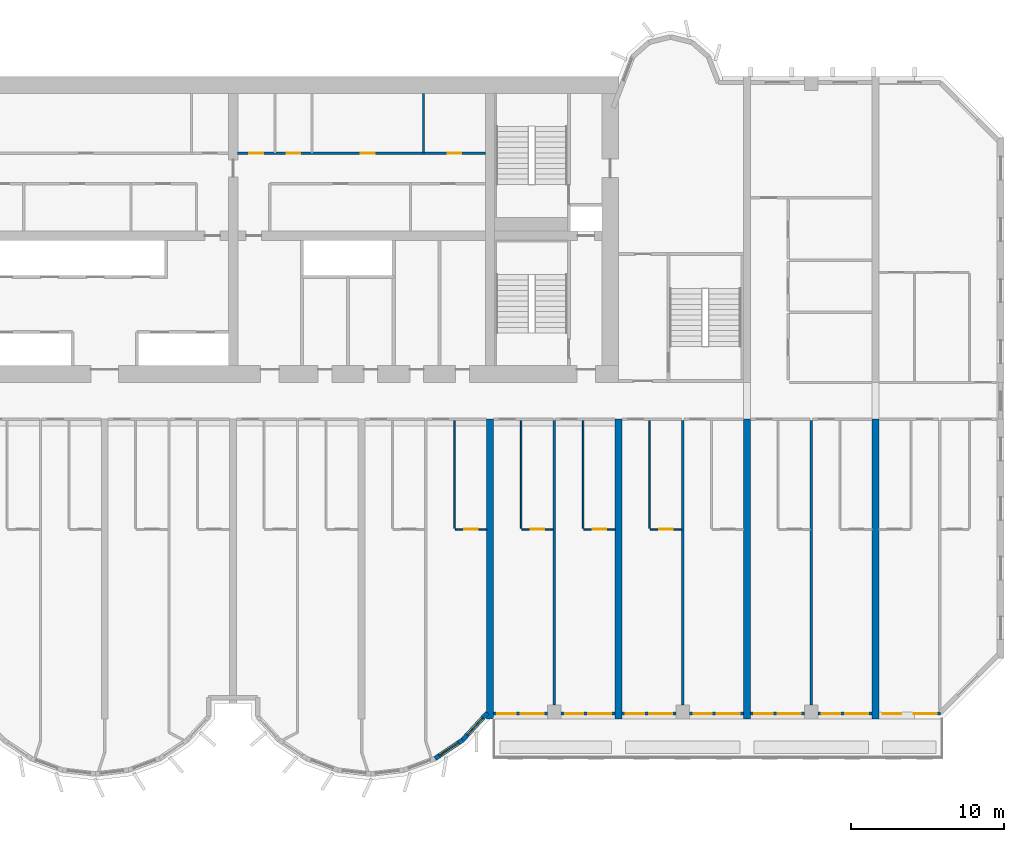
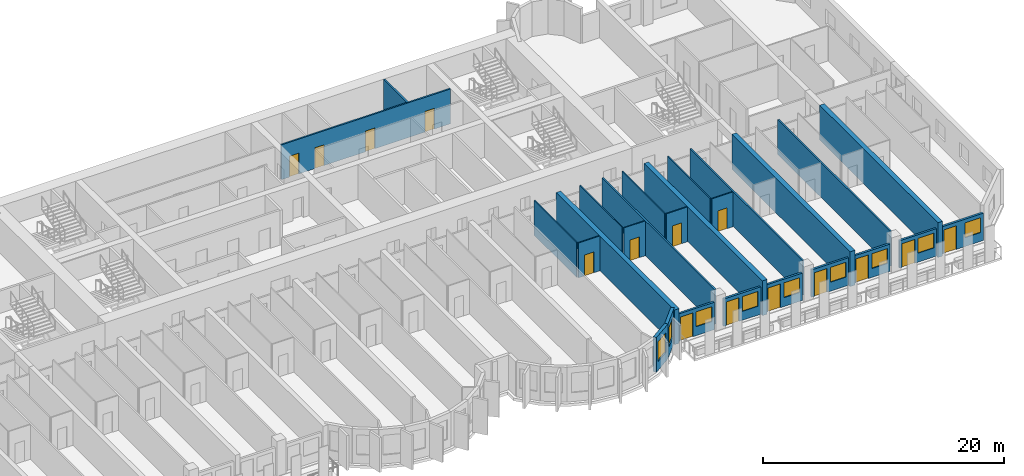
# One storey, part 8 of 15: 26 walls, 15 doors, 9 windows, 24 openings.
"""IFC4 building model written with IfcOpenShell, lengths in metres."""

from ifc_helpers import new_model, si_unit, direction, frame, frame_2d, origin, place, context, subcontext, project, spatial, rectangle, extrude, source, transform, mapped, material, layer, layer_set, type_object, element, fill, save


model = new_model("IFC4")

# Units and contexts
model_context = context("Model", 3, precision=1e-05, world=origin(), true_north=direction((0.0, 1.0)))
body_context = subcontext(model_context, "Body", "Model", "MODEL_VIEW")
ifc_project = project(units=[si_unit("LENGTHUNIT", "METRE"), si_unit("AREAUNIT", "SQUARE_METRE"), si_unit("VOLUMEUNIT", "CUBIC_METRE"), si_unit("PLANEANGLEUNIT", "RADIAN"), si_unit("MASSUNIT", "GRAM", prefix="KILO")], contexts=[model_context])

# Site, building, storey
site_placement = place(None, origin())
site = spatial("IfcSite", under=ifc_project, at=site_placement, CompositionType="ELEMENT")
building_placement = place(site_placement, origin())
building = spatial("IfcBuilding", under=site, at=building_placement, Name="Vanashikhar Sky Hotel", CompositionType="ELEMENT")
storey_placement = place(building_placement, frame((0.0, 0.0, 35.39990234375)))
storey = spatial("IfcBuildingStorey", under=building, at=storey_placement, Name="L07", CompositionType="ELEMENT", Elevation=35.39990234375)

# Walls
ifc_material_1 = material(Name="Concrete M80", Category="concrete")
ifc_layer_1 = layer(ifc_material_1, 0.449951171875)
ifc_layer_set_1 = layer_set([ifc_layer_1], Name="RC shear wall 450 Concrete M80")
wall_type_1 = type_object("IfcWallType", Name="RC shear wall 450 Concrete M80", PredefinedType="SHEAR", material=ifc_layer_set_1)
shared_shape_1 = source(origin(), body_context, "Body", "SweptSolid", [
    extrude(rectangle(XDim=19.60009765625, YDim=0.449951171875, at=frame_2d((9.800048828125, 0.0))), origin(), (0.0, 0.0, 1.0), 3.52001953125),
])
for number, where, z_axis, x_axis, name in (
    (1, (67.199951171875, 0.0, 0.0), (0.0, 0.0, 1.0), (0.0, 1.0, 0.0), "CW-L07-XW09-1"),
    (2, (75.60009765625, 0.0, 0.0), (0.0, 0.0, 1.0), (0.0, 1.0, 0.0), "CW-L07-XW10-1"),
    (3, (84.0, 0.0, 0.0), (0.0, 0.0, 1.0), (0.0, 1.0, 0.0), "CW-L07-XW11-1"),
    (4, (92.39990234375, 0.0, 0.0), (0.0, 0.0, 1.0), (0.0, 1.0, 0.0), "CW-L07-XW12-1"),
):
    element("IfcWall", number, at=place(storey_placement, frame(where, z_axis=z_axis, x_axis=x_axis)), inside=storey, type_object=wall_type_1, Name=name, PredefinedType="SHEAR", context=body_context, shape_type="MappedRepresentation", body=[
        mapped(shared_shape_1, transform((0.0, 0.0, 0.0), scale=1.0)),
    ])

# Wall, openings, window, door
ifc_material_2 = material(Name="Concrete M50", Category="concrete")
ifc_layer_2 = layer(ifc_material_2, 0.199951171875)
ifc_layer_set_2 = layer_set([ifc_layer_2], Name="Front window wall 200")
wall_type_2 = type_object("IfcWallType", Name="Front window wall 200", PredefinedType="SOLIDWALL", material=ifc_layer_set_2)
shared_shape_2 = source(origin(), body_context, "Body", "SweptSolid", [
    extrude(rectangle(XDim=4.030029296875, YDim=0.199951171875, at=frame_2d((2.01513671875, 0.0))), origin(), (0.0, 0.0, 1.0), 2.77001953125),
])
wall_1_placement = place(storey_placement, frame((92.625, 0.35009765625, 0.0), z_axis=(0.0, 0.0, 1.0), x_axis=(1.0, 0.0, 0.0)))
wall_1 = element("IfcWall", 5, at=wall_1_placement, inside=storey, type_object=wall_type_2, Name="Front window wall", PredefinedType="SOLIDWALL", context=body_context, shape_type="MappedRepresentation", body=[
    mapped(shared_shape_2, transform((0.0, 0.0, 0.0), scale=1.0)),
])
shared_shape_3 = source(origin(), body_context, "Body", "SweptSolid", [
    extrude(rectangle(XDim=1.199951171875, YDim=2.39990234375, at=frame_2d((0.60009765625, 1.199951171875))), frame((0.0, 0.10986328125, 0.0), z_axis=(0.0, -1.0, 0.0), x_axis=(1.0, 0.0, 0.0)), (0.0, 0.0, 1.0), 0.219970703125),
])
opening_1_placement = place(wall_1_placement, frame((0.25, 0.0, 0.0)))
opening_1 = element("IfcOpeningElement", 6, at=opening_1_placement, cuts=wall_1, Name="Opening BD-14", PredefinedType="OPENING", context=body_context, shape_type="MappedRepresentation", body=[
    mapped(shared_shape_3, transform((0.0, 0.0, 0.0), scale=1.0)),
])
shared_shape_4 = source(origin(), body_context, "Body", "SweptSolid", [
    extrude(rectangle(XDim=1.5, YDim=1.5, at=frame_2d((0.75, 0.75))), frame((0.0, 0.10986328125, 0.0), z_axis=(0.0, -1.0, 0.0), x_axis=(1.0, 0.0, 0.0)), (0.0, 0.0, 1.0), 0.219970703125),
])
opening_2_placement = place(wall_1_placement, frame((2.280029296875, 0.0, 0.89990234375)))
opening_2 = element("IfcOpeningElement", 7, at=opening_2_placement, cuts=wall_1, Name="Opening WN-1", PredefinedType="OPENING", context=body_context, shape_type="MappedRepresentation", body=[
    mapped(shared_shape_4, transform((0.0, 0.0, 0.0), scale=1.0)),
])
ifc_material_3 = material(Name="Glass", Category="glass")
window_type_1 = type_object("IfcWindowType", Name="Window 1500 x 1500", PartitioningType="SINGLE_PANEL", PredefinedType="WINDOW", material=ifc_material_3)
shared_shape_5 = source(origin(), body_context, "Body", "SweptSolid", [
    extrude(rectangle(XDim=1.5, YDim=1.5, at=frame_2d((0.75, 0.75))), frame((0.0, 0.030029296875, 0.0), z_axis=(0.0, -1.0, 0.0), x_axis=(1.0, 0.0, 0.0)), (0.0, 0.0, 1.0), 0.06005859375),
])
window_1_placement = place(opening_2_placement, origin())
window_1 = element("IfcWindow", 8, at=window_1_placement, inside=storey, type_object=window_type_1, Name="Window WN-1", OverallHeight=1.5, OverallWidth=1.5, PartitioningType="SINGLE_PANEL", PredefinedType="WINDOW", context=body_context, shape_type="MappedRepresentation", body=[
    mapped(shared_shape_5, transform((0.0, 0.0, 0.0), scale=1.0)),
])
fill(opening_2, window_1)
ifc_material_4 = material(Name="Aluminium", Category="aluminium")
door_type_1 = type_object("IfcDoorType", Name="Balcony sliding door 1200 x 2400", OperationType="NOTDEFINED", PredefinedType="DOOR", material=ifc_material_4)
shared_shape_6 = source(origin(), body_context, "Body", "SweptSolid", [
    extrude(rectangle(XDim=1.199951171875, YDim=2.39990234375, at=frame_2d((0.60009765625, 1.199951171875))), frame((0.0, 0.02490234375, 0.0), z_axis=(0.0, -1.0, 0.0), x_axis=(1.0, 0.0, 0.0)), (0.0, 0.0, 1.0), 0.050048828125),
])
door_1_placement = place(opening_1_placement, origin())
door_1 = element("IfcDoor", 9, at=door_1_placement, inside=storey, type_object=door_type_1, Name="Balcony sliding door", OperationType="SLIDING_TO_RIGHT", OverallHeight=2.39990234375, OverallWidth=1.199951171875, PredefinedType="DOOR", context=body_context, shape_type="MappedRepresentation", body=[
    mapped(shared_shape_6, transform((0.0, 0.0, 0.0), scale=1.0)),
])
fill(opening_1, door_1)

shared_shape_7 = source(origin(), body_context, "Body", "SweptSolid", [
    extrude(rectangle(XDim=3.52490234375, YDim=0.199951171875, at=frame_2d((1.762451171875, 0.0))), origin(), (0.0, 0.0, 1.0), 2.77001953125),
])
wall_2_placement = place(storey_placement, frame((67.425048828125, 0.35009765625, 0.0), z_axis=(0.0, 0.0, 1.0), x_axis=(1.0, 0.0, 0.0)))
wall_2 = element("IfcWall", 10, at=wall_2_placement, inside=storey, type_object=wall_type_2, Name="Front window wall", PredefinedType="SOLIDWALL", context=body_context, shape_type="MappedRepresentation", body=[
    mapped(shared_shape_7, transform((0.0, 0.0, 0.0), scale=1.0)),
])
opening_3_placement = place(wall_2_placement, frame((0.25, 0.0, 0.0)))
opening_3 = element("IfcOpeningElement", 11, at=opening_3_placement, cuts=wall_2, Name="Opening BD-08", PredefinedType="OPENING", context=body_context, shape_type="MappedRepresentation", body=[
    mapped(shared_shape_3, transform((0.0, 0.0, 0.0), scale=1.0)),
])
opening_4_placement = place(wall_2_placement, frame((1.77490234375, 0.0, 0.89990234375)))
opening_4 = element("IfcOpeningElement", 12, at=opening_4_placement, cuts=wall_2, Name="Opening WN-1", PredefinedType="OPENING", context=body_context, shape_type="MappedRepresentation", body=[
    mapped(shared_shape_4, transform((0.0, 0.0, 0.0), scale=1.0)),
])
window_2_placement = place(opening_4_placement, origin())
window_2 = element("IfcWindow", 13, at=window_2_placement, inside=storey, type_object=window_type_1, Name="Window WN-1", OverallHeight=1.5, OverallWidth=1.5, PartitioningType="SINGLE_PANEL", PredefinedType="WINDOW", context=body_context, shape_type="MappedRepresentation", body=[
    mapped(shared_shape_5, transform((0.0, 0.0, 0.0), scale=1.0)),
])
fill(opening_4, window_2)
door_2_placement = place(opening_3_placement, origin())
door_2 = element("IfcDoor", 14, at=door_2_placement, inside=storey, type_object=door_type_1, Name="Balcony sliding door", OperationType="SLIDING_TO_RIGHT", OverallHeight=2.39990234375, OverallWidth=1.199951171875, PredefinedType="DOOR", context=body_context, shape_type="MappedRepresentation", body=[
    mapped(shared_shape_6, transform((0.0, 0.0, 0.0), scale=1.0)),
])
fill(opening_3, door_2)

wall_3_placement = place(storey_placement, frame((71.85009765625, 0.35009765625, 0.0), z_axis=(0.0, 0.0, 1.0), x_axis=(1.0, 0.0, 0.0)))
wall_3 = element("IfcWall", 15, at=wall_3_placement, inside=storey, type_object=wall_type_2, Name="Front window wall", PredefinedType="SOLIDWALL", context=body_context, shape_type="MappedRepresentation", body=[
    mapped(shared_shape_7, transform((0.0, 0.0, 0.0), scale=1.0)),
])
opening_5_placement = place(wall_3_placement, frame((0.25, 0.0, 0.0)))
opening_5 = element("IfcOpeningElement", 16, at=opening_5_placement, cuts=wall_3, Name="Opening BD-09", PredefinedType="OPENING", context=body_context, shape_type="MappedRepresentation", body=[
    mapped(shared_shape_3, transform((0.0, 0.0, 0.0), scale=1.0)),
])
opening_6_placement = place(wall_3_placement, frame((1.77490234375, 0.0, 0.89990234375)))
opening_6 = element("IfcOpeningElement", 17, at=opening_6_placement, cuts=wall_3, Name="Opening WN-1", PredefinedType="OPENING", context=body_context, shape_type="MappedRepresentation", body=[
    mapped(shared_shape_4, transform((0.0, 0.0, 0.0), scale=1.0)),
])
window_3_placement = place(opening_6_placement, origin())
window_3 = element("IfcWindow", 18, at=window_3_placement, inside=storey, type_object=window_type_1, Name="Window WN-1", OverallHeight=1.5, OverallWidth=1.5, PartitioningType="SINGLE_PANEL", PredefinedType="WINDOW", context=body_context, shape_type="MappedRepresentation", body=[
    mapped(shared_shape_5, transform((0.0, 0.0, 0.0), scale=1.0)),
])
fill(opening_6, window_3)
door_3_placement = place(opening_5_placement, origin())
door_3 = element("IfcDoor", 19, at=door_3_placement, inside=storey, type_object=door_type_1, Name="Balcony sliding door", OperationType="SLIDING_TO_LEFT", OverallHeight=2.39990234375, OverallWidth=1.199951171875, PredefinedType="DOOR", context=body_context, shape_type="MappedRepresentation", body=[
    mapped(shared_shape_6, transform((0.0, 0.0, 0.0), scale=1.0)),
])
fill(opening_5, door_3)

wall_4_placement = place(storey_placement, frame((80.25, 0.35009765625, 0.0), z_axis=(0.0, 0.0, 1.0), x_axis=(1.0, 0.0, 0.0)))
wall_4 = element("IfcWall", 20, at=wall_4_placement, inside=storey, type_object=wall_type_2, Name="Front window wall", PredefinedType="SOLIDWALL", context=body_context, shape_type="MappedRepresentation", body=[
    mapped(shared_shape_7, transform((0.0, 0.0, 0.0), scale=1.0)),
])
opening_7_placement = place(wall_4_placement, frame((0.25, 0.0, 0.0)))
opening_7 = element("IfcOpeningElement", 21, at=opening_7_placement, cuts=wall_4, Name="Opening BD-11", PredefinedType="OPENING", context=body_context, shape_type="MappedRepresentation", body=[
    mapped(shared_shape_3, transform((0.0, 0.0, 0.0), scale=1.0)),
])
opening_8_placement = place(wall_4_placement, frame((1.77490234375, 0.0, 0.89990234375)))
opening_8 = element("IfcOpeningElement", 22, at=opening_8_placement, cuts=wall_4, Name="Opening WN-1", PredefinedType="OPENING", context=body_context, shape_type="MappedRepresentation", body=[
    mapped(shared_shape_4, transform((0.0, 0.0, 0.0), scale=1.0)),
])
window_4_placement = place(opening_8_placement, origin())
window_4 = element("IfcWindow", 23, at=window_4_placement, inside=storey, type_object=window_type_1, Name="Window WN-1", OverallHeight=1.5, OverallWidth=1.5, PartitioningType="SINGLE_PANEL", PredefinedType="WINDOW", context=body_context, shape_type="MappedRepresentation", body=[
    mapped(shared_shape_5, transform((0.0, 0.0, 0.0), scale=1.0)),
])
fill(opening_8, window_4)
door_4_placement = place(opening_7_placement, origin())
door_4 = element("IfcDoor", 24, at=door_4_placement, inside=storey, type_object=door_type_1, Name="Balcony sliding door", OperationType="SLIDING_TO_LEFT", OverallHeight=2.39990234375, OverallWidth=1.199951171875, PredefinedType="DOOR", context=body_context, shape_type="MappedRepresentation", body=[
    mapped(shared_shape_6, transform((0.0, 0.0, 0.0), scale=1.0)),
])
fill(opening_7, door_4)

wall_5_placement = place(storey_placement, frame((84.22509765625, 0.35009765625, 0.0), z_axis=(0.0, 0.0, 1.0), x_axis=(1.0, 0.0, 0.0)))
wall_5 = element("IfcWall", 25, at=wall_5_placement, inside=storey, type_object=wall_type_2, Name="Front window wall", PredefinedType="SOLIDWALL", context=body_context, shape_type="MappedRepresentation", body=[
    mapped(shared_shape_7, transform((0.0, 0.0, 0.0), scale=1.0)),
])
opening_9_placement = place(wall_5_placement, frame((0.25, 0.0, 0.0)))
opening_9 = element("IfcOpeningElement", 26, at=opening_9_placement, cuts=wall_5, Name="Opening BD-12", PredefinedType="OPENING", context=body_context, shape_type="MappedRepresentation", body=[
    mapped(shared_shape_3, transform((0.0, 0.0, 0.0), scale=1.0)),
])
opening_10_placement = place(wall_5_placement, frame((1.77490234375, 0.0, 0.89990234375)))
opening_10 = element("IfcOpeningElement", 27, at=opening_10_placement, cuts=wall_5, Name="Opening WN-1", PredefinedType="OPENING", context=body_context, shape_type="MappedRepresentation", body=[
    mapped(shared_shape_4, transform((0.0, 0.0, 0.0), scale=1.0)),
])
window_5_placement = place(opening_10_placement, origin())
window_5 = element("IfcWindow", 28, at=window_5_placement, inside=storey, type_object=window_type_1, Name="Window WN-1", OverallHeight=1.5, OverallWidth=1.5, PartitioningType="SINGLE_PANEL", PredefinedType="WINDOW", context=body_context, shape_type="MappedRepresentation", body=[
    mapped(shared_shape_5, transform((0.0, 0.0, 0.0), scale=1.0)),
])
fill(opening_10, window_5)
door_5_placement = place(opening_9_placement, origin())
door_5 = element("IfcDoor", 29, at=door_5_placement, inside=storey, type_object=door_type_1, Name="Balcony sliding door", OperationType="SLIDING_TO_RIGHT", OverallHeight=2.39990234375, OverallWidth=1.199951171875, PredefinedType="DOOR", context=body_context, shape_type="MappedRepresentation", body=[
    mapped(shared_shape_6, transform((0.0, 0.0, 0.0), scale=1.0)),
])
fill(opening_9, door_5)

shared_shape_8 = source(origin(), body_context, "Body", "SweptSolid", [
    extrude(rectangle(XDim=3.525146484375, YDim=0.199951171875, at=frame_2d((1.7626953125, 0.0))), origin(), (0.0, 0.0, 1.0), 2.77001953125),
])
wall_6_placement = place(storey_placement, frame((75.824951171875, 0.35009765625, 0.0), z_axis=(0.0, 0.0, 1.0), x_axis=(1.0, 0.0, 0.0)))
wall_6 = element("IfcWall", 30, at=wall_6_placement, inside=storey, type_object=wall_type_2, Name="Front window wall", PredefinedType="SOLIDWALL", context=body_context, shape_type="MappedRepresentation", body=[
    mapped(shared_shape_8, transform((0.0, 0.0, 0.0), scale=1.0)),
])
opening_11_placement = place(wall_6_placement, frame((0.25, 0.0, 0.0)))
opening_11 = element("IfcOpeningElement", 31, at=opening_11_placement, cuts=wall_6, Name="Opening BD-10", PredefinedType="OPENING", context=body_context, shape_type="MappedRepresentation", body=[
    mapped(shared_shape_3, transform((0.0, 0.0, 0.0), scale=1.0)),
])
opening_12_placement = place(wall_6_placement, frame((1.77490234375, 0.0, 0.89990234375)))
opening_12 = element("IfcOpeningElement", 32, at=opening_12_placement, cuts=wall_6, Name="Opening WN-1", PredefinedType="OPENING", context=body_context, shape_type="MappedRepresentation", body=[
    mapped(shared_shape_4, transform((0.0, 0.0, 0.0), scale=1.0)),
])
window_6_placement = place(opening_12_placement, origin())
window_6 = element("IfcWindow", 33, at=window_6_placement, inside=storey, type_object=window_type_1, Name="Window WN-1", OverallHeight=1.5, OverallWidth=1.5, PartitioningType="SINGLE_PANEL", PredefinedType="WINDOW", context=body_context, shape_type="MappedRepresentation", body=[
    mapped(shared_shape_5, transform((0.0, 0.0, 0.0), scale=1.0)),
])
fill(opening_12, window_6)
door_6_placement = place(opening_11_placement, origin())
door_6 = element("IfcDoor", 34, at=door_6_placement, inside=storey, type_object=door_type_1, Name="Balcony sliding door", OperationType="SLIDING_TO_RIGHT", OverallHeight=2.39990234375, OverallWidth=1.199951171875, PredefinedType="DOOR", context=body_context, shape_type="MappedRepresentation", body=[
    mapped(shared_shape_6, transform((0.0, 0.0, 0.0), scale=1.0)),
])
fill(opening_11, door_6)

wall_7_placement = place(storey_placement, frame((88.64990234375, 0.35009765625, 0.0), z_axis=(0.0, 0.0, 1.0), x_axis=(1.0, 0.0, 0.0)))
wall_7 = element("IfcWall", 35, at=wall_7_placement, inside=storey, type_object=wall_type_2, Name="Front window wall", PredefinedType="SOLIDWALL", context=body_context, shape_type="MappedRepresentation", body=[
    mapped(shared_shape_8, transform((0.0, 0.0, 0.0), scale=1.0)),
])
opening_13_placement = place(wall_7_placement, frame((0.25, 0.0, 0.0)))
opening_13 = element("IfcOpeningElement", 36, at=opening_13_placement, cuts=wall_7, Name="Opening BD-13", PredefinedType="OPENING", context=body_context, shape_type="MappedRepresentation", body=[
    mapped(shared_shape_3, transform((0.0, 0.0, 0.0), scale=1.0)),
])
opening_14_placement = place(wall_7_placement, frame((1.77490234375, 0.0, 0.89990234375)))
opening_14 = element("IfcOpeningElement", 37, at=opening_14_placement, cuts=wall_7, Name="Opening WN-1", PredefinedType="OPENING", context=body_context, shape_type="MappedRepresentation", body=[
    mapped(shared_shape_4, transform((0.0, 0.0, 0.0), scale=1.0)),
])
window_7_placement = place(opening_14_placement, origin())
window_7 = element("IfcWindow", 38, at=window_7_placement, inside=storey, type_object=window_type_1, Name="Window WN-1", OverallHeight=1.5, OverallWidth=1.5, PartitioningType="SINGLE_PANEL", PredefinedType="WINDOW", context=body_context, shape_type="MappedRepresentation", body=[
    mapped(shared_shape_5, transform((0.0, 0.0, 0.0), scale=1.0)),
])
fill(opening_14, window_7)
door_7_placement = place(opening_13_placement, origin())
door_7 = element("IfcDoor", 39, at=door_7_placement, inside=storey, type_object=door_type_1, Name="Balcony sliding door", OperationType="SLIDING_TO_LEFT", OverallHeight=2.39990234375, OverallWidth=1.199951171875, PredefinedType="DOOR", context=body_context, shape_type="MappedRepresentation", body=[
    mapped(shared_shape_6, transform((0.0, 0.0, 0.0), scale=1.0)),
])
fill(opening_13, door_7)

# Wall, opening, window
ifc_layer_3 = layer(ifc_material_2, 0.300048828125)
ifc_layer_set_3 = layer_set([ifc_layer_3], Name="Lobe wall 300")
wall_type_3 = type_object("IfcWallType", Name="Lobe wall 300", PredefinedType="SOLIDWALL", material=ifc_layer_set_3)
shared_shape_9 = source(origin(), body_context, "Body", "SweptSolid", [
    extrude(rectangle(XDim=2.398193359375, YDim=0.300048828125, at=frame_2d((1.19921875, 0.0))), origin(), (0.0, 0.0, 1.0), 3.52001953125),
])
wall_8_placement = place(storey_placement, frame((65.404296875, -1.36865234375, 0.0), z_axis=(0.0, 0.0, 1.0), x_axis=(0.675374189419, 0.737475222815, 0.0)))
wall_8 = element("IfcWall", 40, at=wall_8_placement, inside=storey, type_object=wall_type_3, Name="Lobe wall", PredefinedType="SOLIDWALL", context=body_context, shape_type="MappedRepresentation", body=[
    mapped(shared_shape_9, transform((0.0, 0.0, 0.0), scale=1.0)),
])
shared_shape_10 = source(origin(), body_context, "Body", "SweptSolid", [
    extrude(rectangle(XDim=1.5, YDim=2.0, at=frame_2d((0.75, 1.0))), frame((0.0, 0.16015625, 0.0), z_axis=(0.0, -1.0, 0.0), x_axis=(1.0, 0.0, 0.0)), (0.0, 0.0, 1.0), 0.320068359375),
])
opening_15_placement = place(wall_8_placement, frame((0.44921875, 0.0, 0.89990234375)))
opening_15 = element("IfcOpeningElement", 41, at=opening_15_placement, cuts=wall_8, Name="Opening WN-2", PredefinedType="OPENING", context=body_context, shape_type="MappedRepresentation", body=[
    mapped(shared_shape_10, transform((0.0, 0.0, 0.0), scale=1.0)),
])
window_type_2 = type_object("IfcWindowType", Name="Lobe window 1500 x 2000", PartitioningType="SINGLE_PANEL", PredefinedType="WINDOW", material=ifc_material_3)
shared_shape_11 = source(origin(), body_context, "Body", "SweptSolid", [
    extrude(rectangle(XDim=1.5, YDim=2.0, at=frame_2d((0.75, 1.0))), frame((0.0, 0.030029296875, 0.0), z_axis=(0.0, -1.0, 0.0), x_axis=(1.0, 0.0, 0.0)), (0.0, 0.0, 1.0), 0.06005859375),
])
window_8_placement = place(opening_15_placement, origin())
window_8 = element("IfcWindow", 42, at=window_8_placement, inside=storey, type_object=window_type_2, Name="Window WN-2", OverallHeight=2.0, OverallWidth=1.5, PartitioningType="SINGLE_PANEL", PredefinedType="WINDOW", context=body_context, shape_type="MappedRepresentation", body=[
    mapped(shared_shape_11, transform((0.0, 0.0, 0.0), scale=1.0)),
])
fill(opening_15, window_8)

shared_shape_12 = source(origin(), body_context, "Body", "SweptSolid", [
    extrude(rectangle(XDim=2.17578125, YDim=0.300048828125, at=frame_2d((1.087890625, 0.0))), origin(), (0.0, 0.0, 1.0), 3.52001953125),
])
wall_9_placement = place(storey_placement, frame((63.59912109375, -2.58349609375, 0.0), z_axis=(0.0, 0.0, 1.0), x_axis=(0.829625727223, 0.558319937607, 0.0)))
wall_9 = element("IfcWall", 43, at=wall_9_placement, inside=storey, type_object=wall_type_3, Name="Lobe wall", PredefinedType="SOLIDWALL", context=body_context, shape_type="MappedRepresentation", body=[
    mapped(shared_shape_12, transform((0.0, 0.0, 0.0), scale=1.0)),
])
opening_16_placement = place(wall_9_placement, frame((0.337890625, 0.0, 0.89990234375)))
opening_16 = element("IfcOpeningElement", 44, at=opening_16_placement, cuts=wall_9, Name="Opening WN-2", PredefinedType="OPENING", context=body_context, shape_type="MappedRepresentation", body=[
    mapped(shared_shape_10, transform((0.0, 0.0, 0.0), scale=1.0)),
])
window_9_placement = place(opening_16_placement, origin())
window_9 = element("IfcWindow", 45, at=window_9_placement, inside=storey, type_object=window_type_2, Name="Window WN-2", OverallHeight=2.0, OverallWidth=1.5, PartitioningType="SINGLE_PANEL", PredefinedType="WINDOW", context=body_context, shape_type="MappedRepresentation", body=[
    mapped(shared_shape_11, transform((0.0, 0.0, 0.0), scale=1.0)),
])
fill(opening_16, window_9)

# Wall
ifc_material_5 = material(Name="Gypsum board partition")
ifc_layer_4 = layer(ifc_material_5, 0.14990234375)
ifc_layer_set_4 = layer_set([ifc_layer_4], Name="Service partition 150")
wall_type_4 = type_object("IfcWallType", Name="Service partition 150", PredefinedType="PARTITIONING", material=ifc_layer_set_4)
shared_shape_13 = source(origin(), body_context, "Body", "SweptSolid", [
    extrude(rectangle(XDim=3.89990234375, YDim=0.14990234375, at=frame_2d((1.949951171875, 0.0))), origin(), (0.0, 0.0, 1.0), 3.52001953125),
])
wall_10_placement = place(storey_placement, frame((62.85009765625, 37.0, 0.0), z_axis=(0.0, 0.0, 1.0), x_axis=(0.0, 1.0, 0.0)))
element("IfcWall", 46, at=wall_10_placement, inside=storey, type_object=wall_type_4, Name="Service partition 150", PredefinedType="PARTITIONING", context=body_context, shape_type="MappedRepresentation", body=[
    mapped(shared_shape_13, transform((0.0, 0.0, 0.0), scale=1.0)),
])

# Wall, openings, doors
shared_shape_14 = source(origin(), body_context, "Body", "SweptSolid", [
    extrude(rectangle(XDim=16.199951171875, YDim=0.14990234375, at=frame_2d((8.10009765625, 0.0))), origin(), (0.0, 0.0, 1.0), 3.52001953125),
])
wall_11_placement = place(storey_placement, frame((66.89990234375, 37.0, 0.0), z_axis=(0.0, 0.0, 1.0), x_axis=(-1.0, 0.0, 0.0)))
wall_11 = element("IfcWall", 47, at=wall_11_placement, inside=storey, type_object=wall_type_4, Name="Service partition 150", PredefinedType="PARTITIONING", context=body_context, shape_type="MappedRepresentation", body=[
    mapped(shared_shape_14, transform((0.0, 0.0, 0.0), scale=1.0)),
])
shared_shape_15 = source(origin(), body_context, "Body", "SweptSolid", [
    extrude(rectangle(XDim=0.89990234375, YDim=2.10009765625, at=frame_2d((0.449951171875, 1.050048828125))), frame((0.0, 0.0849609375, 0.0), z_axis=(0.0, -1.0, 0.0), x_axis=(1.0, 0.0, 0.0)), (0.0, 0.0, 1.0), 0.169921875),
])
opening_17_placement = place(wall_11_placement, frame((1.574951171875, 0.0, 0.0)))
opening_17 = element("IfcOpeningElement", 48, at=opening_17_placement, cuts=wall_11, Name="Opening DC-4-A", PredefinedType="OPENING", context=body_context, shape_type="MappedRepresentation", body=[
    mapped(shared_shape_15, transform((0.0, 0.0, 0.0), scale=1.0)),
])
opening_18_placement = place(wall_11_placement, frame((7.2451171875, 0.0, 0.0)))
opening_18 = element("IfcOpeningElement", 49, at=opening_18_placement, cuts=wall_11, Name="Opening DC-4-A", PredefinedType="OPENING", context=body_context, shape_type="MappedRepresentation", body=[
    mapped(shared_shape_15, transform((0.0, 0.0, 0.0), scale=1.0)),
])
opening_19_placement = place(wall_11_placement, frame((12.10498046875, 0.0, 0.0)))
opening_19 = element("IfcOpeningElement", 50, at=opening_19_placement, cuts=wall_11, Name="Opening DC-4-A", PredefinedType="OPENING", context=body_context, shape_type="MappedRepresentation", body=[
    mapped(shared_shape_15, transform((0.0, 0.0, 0.0), scale=1.0)),
])
opening_20_placement = place(wall_11_placement, frame((14.534912109375, 0.0, 0.0)))
opening_20 = element("IfcOpeningElement", 51, at=opening_20_placement, cuts=wall_11, Name="Opening DC-4-A", PredefinedType="OPENING", context=body_context, shape_type="MappedRepresentation", body=[
    mapped(shared_shape_15, transform((0.0, 0.0, 0.0), scale=1.0)),
])
ifc_material_6 = material(Name="Steel", Category="steel")
door_type_2 = type_object("IfcDoorType", Name="Service door 900 FD60", OperationType="NOTDEFINED", PredefinedType="DOOR", material=ifc_material_6)
shared_shape_16 = source(origin(), body_context, "Body", "SweptSolid", [
    extrude(rectangle(XDim=0.89990234375, YDim=2.10009765625, at=frame_2d((0.449951171875, 1.050048828125))), frame((0.0, 0.02490234375, 0.0), z_axis=(0.0, -1.0, 0.0), x_axis=(1.0, 0.0, 0.0)), (0.0, 0.0, 1.0), 0.050048828125),
])
door_8_placement = place(opening_17_placement, origin())
door_8 = element("IfcDoor", 52, at=door_8_placement, inside=storey, type_object=door_type_2, Name="Service door 900 FD60", OperationType="SINGLE_SWING_LEFT", OverallHeight=2.10009765625, OverallWidth=0.89990234375, PredefinedType="DOOR", context=body_context, shape_type="MappedRepresentation", body=[
    mapped(shared_shape_16, transform((0.0, 0.0, 0.0), scale=1.0)),
])
fill(opening_17, door_8)
door_9_placement = place(opening_18_placement, origin())
door_9 = element("IfcDoor", 53, at=door_9_placement, inside=storey, type_object=door_type_2, Name="Service door 900 FD60", OperationType="SINGLE_SWING_LEFT", OverallHeight=2.10009765625, OverallWidth=0.89990234375, PredefinedType="DOOR", context=body_context, shape_type="MappedRepresentation", body=[
    mapped(shared_shape_16, transform((0.0, 0.0, 0.0), scale=1.0)),
])
fill(opening_18, door_9)
door_10_placement = place(opening_19_placement, origin())
door_10 = element("IfcDoor", 54, at=door_10_placement, inside=storey, type_object=door_type_2, Name="Service door 900 FD60", OperationType="SINGLE_SWING_LEFT", OverallHeight=2.10009765625, OverallWidth=0.89990234375, PredefinedType="DOOR", context=body_context, shape_type="MappedRepresentation", body=[
    mapped(shared_shape_16, transform((0.0, 0.0, 0.0), scale=1.0)),
])
fill(opening_19, door_10)
door_11_placement = place(opening_20_placement, origin())
door_11 = element("IfcDoor", 55, at=door_11_placement, inside=storey, type_object=door_type_2, Name="Service door 900 FD60", OperationType="SINGLE_SWING_RIGHT", OverallHeight=2.10009765625, OverallWidth=0.89990234375, PredefinedType="DOOR", context=body_context, shape_type="MappedRepresentation", body=[
    mapped(shared_shape_16, transform((0.0, 0.0, 0.0), scale=1.0)),
])
fill(opening_20, door_11)

# Walls
ifc_material_7 = material(Name="Gypsum plasterboard partition")
ifc_layer_5 = layer(ifc_material_7, 0.10009765625)
ifc_layer_set_5 = layer_set([ifc_layer_5], Name="Wet room partition 100")
wall_type_5 = type_object("IfcWallType", Name="Wet room partition 100", PredefinedType="PARTITIONING", material=ifc_layer_set_5)
shared_shape_17 = source(origin(), body_context, "Body", "SweptSolid", [
    extrude(rectangle(XDim=7.0498046875, YDim=0.10009765625, at=frame_2d((3.52490234375, 0.0))), origin(), (0.0, 0.0, 1.0), 3.52001953125),
])
for number, where, z_axis, x_axis, name in (
    (56, (64.875, 12.47509765625, 0.0), (0.0, 0.0, 1.0), (0.0, 1.0, 0.0), "W-L07-PW053"),
    (57, (69.22509765625, 12.47509765625, 0.0), (0.0, 0.0, 1.0), (0.0, 1.0, 0.0), "W-L07-PW057"),
    (58, (73.27490234375, 12.47509765625, 0.0), (0.0, 0.0, 1.0), (0.0, 1.0, 0.0), "W-L07-PW060"),
    (59, (77.625, 12.47509765625, 0.0), (0.0, 0.0, 1.0), (0.0, 1.0, 0.0), "W-L07-PW064"),
):
    element("IfcWall", number, at=place(storey_placement, frame(where, z_axis=z_axis, x_axis=x_axis)), inside=storey, type_object=wall_type_5, Name=name, PredefinedType="PARTITIONING", context=body_context, shape_type="MappedRepresentation", body=[
        mapped(shared_shape_17, transform((0.0, 0.0, 0.0), scale=1.0)),
    ])

# Wall, opening, door
shared_shape_18 = source(origin(), body_context, "Body", "SweptSolid", [
    extrude(rectangle(XDim=2.050048828125, YDim=0.10009765625, at=frame_2d((1.02490234375, 0.0))), origin(), (0.0, 0.0, 1.0), 3.52001953125),
])
wall_12_placement = place(storey_placement, frame((64.925048828125, 12.39990234375, 0.0), z_axis=(0.0, 0.0, 1.0), x_axis=(1.0, 0.0, 0.0)))
wall_12 = element("IfcWall", 60, at=wall_12_placement, inside=storey, type_object=wall_type_5, Name="W-L07-PW054", PredefinedType="PARTITIONING", context=body_context, shape_type="MappedRepresentation", body=[
    mapped(shared_shape_18, transform((0.0, 0.0, 0.0), scale=1.0)),
])
shared_shape_19 = source(origin(), body_context, "Body", "SweptSolid", [
    extrude(rectangle(XDim=0.89990234375, YDim=2.10009765625, at=frame_2d((0.449951171875, 1.050048828125))), frame((0.0, 0.06005859375, 0.0), z_axis=(0.0, -1.0, 0.0), x_axis=(1.0, 0.0, 0.0)), (0.0, 0.0, 1.0), 0.1201171875),
])
opening_21_placement = place(wall_12_placement, frame((0.574951171875, 0.0, 0.0)))
opening_21 = element("IfcOpeningElement", 61, at=opening_21_placement, cuts=wall_12, Name="Opening D-02", PredefinedType="OPENING", context=body_context, shape_type="MappedRepresentation", body=[
    mapped(shared_shape_19, transform((0.0, 0.0, 0.0), scale=1.0)),
])
ifc_material_8 = material(Name="Timber door", Category="wood")
door_type_3 = type_object("IfcDoorType", Name="Internal door 900", OperationType="NOTDEFINED", PredefinedType="DOOR", material=ifc_material_8)
door_12_placement = place(opening_21_placement, origin())
door_12 = element("IfcDoor", 62, at=door_12_placement, inside=storey, type_object=door_type_3, Name="D-L07-031", OperationType="SINGLE_SWING_LEFT", OverallHeight=2.10009765625, OverallWidth=0.89990234375, PredefinedType="DOOR", context=body_context, shape_type="MappedRepresentation", body=[
    mapped(shared_shape_16, transform((0.0, 0.0, 0.0), scale=1.0)),
])
fill(opening_21, door_12)

wall_13_placement = place(storey_placement, frame((69.27490234375, 12.39990234375, 0.0), z_axis=(0.0, 0.0, 1.0), x_axis=(1.0, 0.0, 0.0)))
wall_13 = element("IfcWall", 63, at=wall_13_placement, inside=storey, type_object=wall_type_5, Name="W-L07-PW058", PredefinedType="PARTITIONING", context=body_context, shape_type="MappedRepresentation", body=[
    mapped(shared_shape_18, transform((0.0, 0.0, 0.0), scale=1.0)),
])
opening_22_placement = place(wall_13_placement, frame((0.574951171875, 0.0, 0.0)))
opening_22 = element("IfcOpeningElement", 64, at=opening_22_placement, cuts=wall_13, Name="Opening D-02", PredefinedType="OPENING", context=body_context, shape_type="MappedRepresentation", body=[
    mapped(shared_shape_19, transform((0.0, 0.0, 0.0), scale=1.0)),
])
door_13_placement = place(opening_22_placement, origin())
door_13 = element("IfcDoor", 65, at=door_13_placement, inside=storey, type_object=door_type_3, Name="D-L07-033", OperationType="SINGLE_SWING_LEFT", OverallHeight=2.10009765625, OverallWidth=0.89990234375, PredefinedType="DOOR", context=body_context, shape_type="MappedRepresentation", body=[
    mapped(shared_shape_16, transform((0.0, 0.0, 0.0), scale=1.0)),
])
fill(opening_22, door_13)

wall_14_placement = place(storey_placement, frame((73.324951171875, 12.39990234375, 0.0), z_axis=(0.0, 0.0, 1.0), x_axis=(1.0, 0.0, 0.0)))
wall_14 = element("IfcWall", 66, at=wall_14_placement, inside=storey, type_object=wall_type_5, Name="W-L07-PW061", PredefinedType="PARTITIONING", context=body_context, shape_type="MappedRepresentation", body=[
    mapped(shared_shape_18, transform((0.0, 0.0, 0.0), scale=1.0)),
])
opening_23_placement = place(wall_14_placement, frame((0.574951171875, 0.0, 0.0)))
opening_23 = element("IfcOpeningElement", 67, at=opening_23_placement, cuts=wall_14, Name="Opening D-02", PredefinedType="OPENING", context=body_context, shape_type="MappedRepresentation", body=[
    mapped(shared_shape_19, transform((0.0, 0.0, 0.0), scale=1.0)),
])
door_14_placement = place(opening_23_placement, origin())
door_14 = element("IfcDoor", 68, at=door_14_placement, inside=storey, type_object=door_type_3, Name="D-L07-035", OperationType="SINGLE_SWING_LEFT", OverallHeight=2.10009765625, OverallWidth=0.89990234375, PredefinedType="DOOR", context=body_context, shape_type="MappedRepresentation", body=[
    mapped(shared_shape_16, transform((0.0, 0.0, 0.0), scale=1.0)),
])
fill(opening_23, door_14)

wall_15_placement = place(storey_placement, frame((77.675048828125, 12.39990234375, 0.0), z_axis=(0.0, 0.0, 1.0), x_axis=(1.0, 0.0, 0.0)))
wall_15 = element("IfcWall", 69, at=wall_15_placement, inside=storey, type_object=wall_type_5, Name="W-L07-PW065", PredefinedType="PARTITIONING", context=body_context, shape_type="MappedRepresentation", body=[
    mapped(shared_shape_18, transform((0.0, 0.0, 0.0), scale=1.0)),
])
opening_24_placement = place(wall_15_placement, frame((0.574951171875, 0.0, 0.0)))
opening_24 = element("IfcOpeningElement", 70, at=opening_24_placement, cuts=wall_15, Name="Opening D-02", PredefinedType="OPENING", context=body_context, shape_type="MappedRepresentation", body=[
    mapped(shared_shape_19, transform((0.0, 0.0, 0.0), scale=1.0)),
])
door_15_placement = place(opening_24_placement, origin())
door_15 = element("IfcDoor", 71, at=door_15_placement, inside=storey, type_object=door_type_3, Name="D-L07-037", OperationType="SINGLE_SWING_LEFT", OverallHeight=2.10009765625, OverallWidth=0.89990234375, PredefinedType="DOOR", context=body_context, shape_type="MappedRepresentation", body=[
    mapped(shared_shape_16, transform((0.0, 0.0, 0.0), scale=1.0)),
])
fill(opening_24, door_15)

# Walls
ifc_layer_6 = layer(ifc_material_7, 0.14990234375)
ifc_layer_set_6 = layer_set([ifc_layer_6], Name="Corridor and demising partition 150")
wall_type_6 = type_object("IfcWallType", Name="Corridor and demising partition 150", PredefinedType="PARTITIONING", material=ifc_layer_set_6)
shared_shape_20 = source(origin(), body_context, "Body", "SweptSolid", [
    extrude(rectangle(XDim=18.625, YDim=0.14990234375, at=frame_2d((9.3125, 0.0))), origin(), (0.0, 0.0, 1.0), 3.52001953125),
])
for number, where, z_axis, x_axis, name in (
    (72, (71.39990234375, 0.89990234375, 0.0), (0.0, 0.0, 1.0), (0.0, 1.0, 0.0), "W-L07-PW063"),
    (73, (79.800048828125, 0.89990234375, 0.0), (0.0, 0.0, 1.0), (0.0, 1.0, 0.0), "W-L07-PW070"),
    (74, (88.199951171875, 0.89990234375, 0.0), (0.0, 0.0, 1.0), (0.0, 1.0, 0.0), "W-L07-PW077"),
):
    element("IfcWall", number, at=place(storey_placement, frame(where, z_axis=z_axis, x_axis=x_axis)), inside=storey, type_object=wall_type_6, Name=name, PredefinedType="PARTITIONING", context=body_context, shape_type="MappedRepresentation", body=[
        mapped(shared_shape_20, transform((0.0, 0.0, 0.0), scale=1.0)),
    ])

save(model, "model.ifc")
